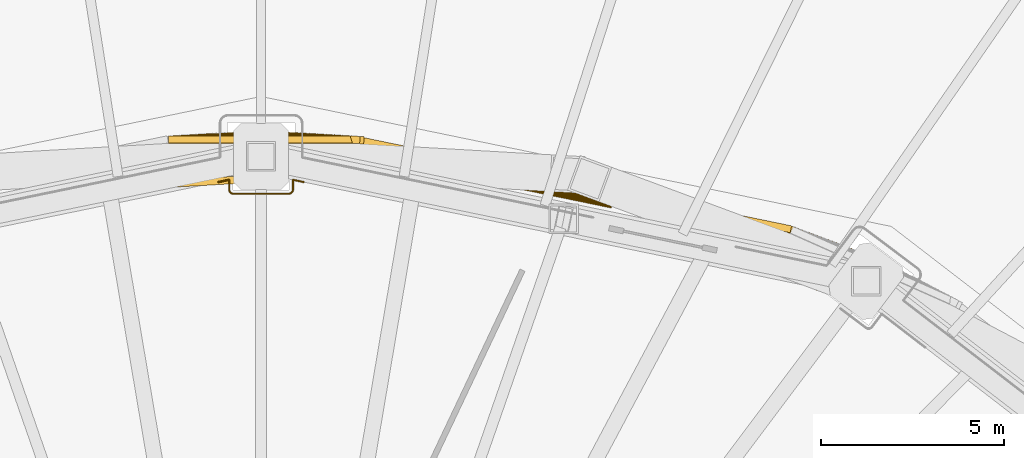
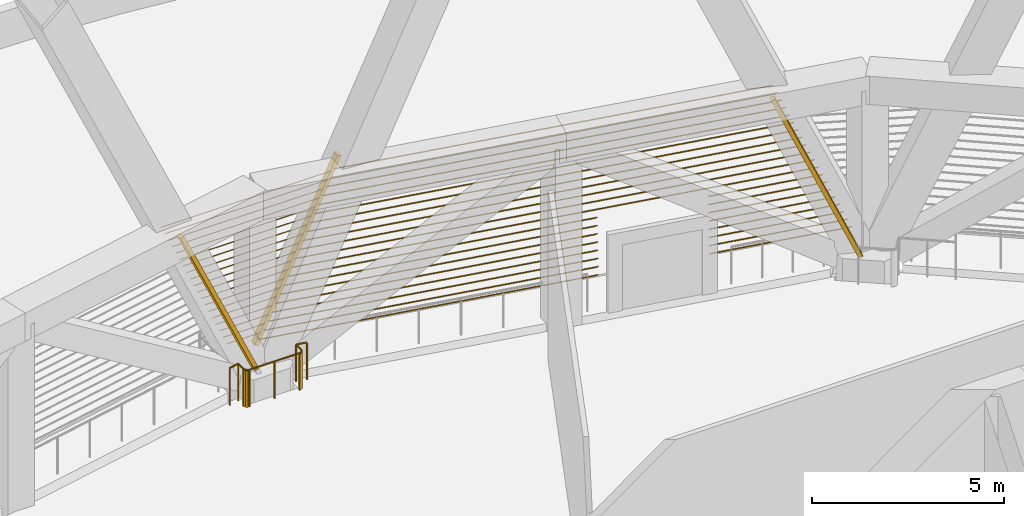
# One storey, part 27 of 27: 2 shading devices, 1 railing.
"""IFC4 building model written with IfcOpenShell, lengths in metres."""

from ifc_helpers import new_model, si_unit, direction, frame, origin, origin_2d, place, context, subcontext, project, spatial, rectangle, circle, extrude, material, type_object, element, save


model = new_model("IFC4")

# Units and contexts
model_context = context("Model", 3, precision=1e-05, world=origin(), true_north=direction((0.0, 1.0)))
body_context = subcontext(model_context, "Body", "Model", "MODEL_VIEW")
ifc_project = project(units=[si_unit("LENGTHUNIT", "METRE"), si_unit("AREAUNIT", "SQUARE_METRE"), si_unit("VOLUMEUNIT", "CUBIC_METRE"), si_unit("PLANEANGLEUNIT", "RADIAN"), si_unit("MASSUNIT", "GRAM", prefix="KILO")], contexts=[model_context])

# Site, building, storey
site_placement = place(None, origin())
site = spatial("IfcSite", under=ifc_project, at=site_placement, CompositionType="ELEMENT")
building_placement = place(site_placement, origin())
building = spatial("IfcBuilding", under=site, at=building_placement, Name="Sahrelin Media Tower", CompositionType="ELEMENT")
storey_placement = place(building_placement, frame((0.0, 0.0, 44.0)))
storey = spatial("IfcBuildingStorey", under=building, at=storey_placement, Name="L06", CompositionType="ELEMENT", Elevation=44.0)

# Railing
ifc_material_1 = material(Name="Stainless steel 316", Category="steel")
railing_type = type_object("IfcRailingType", Name="Maintenance platform guard", PredefinedType="GUARDRAIL", material=ifc_material_1)
railing_placement = place(storey_placement, frame((-1.1640625, 24.700439453125, 0.0)))
element("IfcRailing", 1, at=railing_placement, inside=storey, type_object=railing_type, Name="Plant level edge guard 4", PredefinedType="GUARDRAIL", context=body_context, shape_type="SweptSolid", body=[
    extrude(circle(Radius=0.02392578125, at=origin_2d()), frame((0.0, 0.0, 1.17578125), z_axis=(0.979438136355, 0.201744732405, 0.0), x_axis=(-0.201744732405, 0.979438136355, 0.0)), (0.0, 0.0, 1.0), 0.300048828125),
    extrude(circle(Radius=0.02392578125, at=origin_2d()), frame((0.2939453125, 0.060546875, 1.17578125), z_axis=(0.0, -1.0, 0.0), x_axis=(1.0, 0.0, 0.0)), (0.0, 0.0, 1.0), 0.263427734375),
    extrude(circle(Radius=0.02392578125, at=origin_2d()), frame((0.2939453125, -0.202880859375, 1.17578125), z_axis=(0.074789948242, -0.997199309888, 0.0), x_axis=(0.997199309888, 0.074789948242, 0.0)), (0.0, 0.0, 1.0), 0.009765625),
    extrude(circle(Radius=0.02392578125, at=origin_2d()), frame((0.294677734375, -0.212646484375, 1.17578125), z_axis=(0.138647844534, -0.990341746674, 0.0), x_axis=(0.990341746674, 0.138647844534, 0.0)), (0.0, 0.0, 1.0), 0.01220703125),
    extrude(circle(Radius=0.02392578125, at=origin_2d()), frame((0.29638671875, -0.224853515625, 1.17578125), z_axis=(0.25449329928, -0.967074537263, 0.0), x_axis=(0.967074537263, 0.25449329928, 0.0)), (0.0, 0.0, 1.0), 0.009521484375),
    extrude(circle(Radius=0.02392578125, at=origin_2d()), frame((0.298828125, -0.234130859375, 1.17578125), z_axis=(0.310738856307, -0.950495325176, 0.0), x_axis=(0.950495325176, 0.310738856307, 0.0)), (0.0, 0.0, 1.0), 0.013427734375),
    extrude(circle(Radius=0.02392578125, at=origin_2d()), frame((0.302978515625, -0.246826171875, 1.17578125), z_axis=(0.461934418837, -0.886914084167, 0.0), x_axis=(0.886914084167, 0.461934418837, 0.0)), (0.0, 0.0, 1.0), 0.01318359375),
    extrude(circle(Radius=0.02392578125, at=origin_2d()), frame((0.30908203125, -0.258544921875, 1.17578125), z_axis=(0.509802390302, -0.860291533634, 0.0), x_axis=(0.860291533634, 0.509802390302, 0.0)), (0.0, 0.0, 1.0), 0.007568359375),
    extrude(circle(Radius=0.02392578125, at=origin_2d()), frame((0.31298828125, -0.26513671875, 1.17578125), z_axis=(0.562310021407, -0.82692650207, 0.0), x_axis=(0.82692650207, 0.562310021407, 0.0)), (0.0, 0.0, 1.0), 0.0146484375),
    extrude(circle(Radius=0.02392578125, at=origin_2d()), frame((0.3212890625, -0.27734375, 1.17578125), z_axis=(0.707106781187, -0.707106781187, 0.0), x_axis=(0.707106781187, 0.707106781187, 0.0)), (0.0, 0.0, 1.0), 0.0224609375),
    extrude(circle(Radius=0.02392578125, at=origin_2d()), frame((0.337158203125, -0.293212890625, 1.17578125), z_axis=(0.82692650207, -0.562310021407, 0.0), x_axis=(0.562310021407, 0.82692650207, 0.0)), (0.0, 0.0, 1.0), 0.0146484375),
    extrude(circle(Radius=0.02392578125, at=origin_2d()), frame((0.349365234375, -0.301513671875, 1.17578125), z_axis=(0.860291533634, -0.509802390302, 0.0), x_axis=(0.509802390302, 0.860291533634, 0.0)), (0.0, 0.0, 1.0), 0.007568359375),
    extrude(circle(Radius=0.02392578125, at=origin_2d()), frame((0.35595703125, -0.305419921875, 1.17578125), z_axis=(0.886914084167, -0.461934418837, 0.0), x_axis=(0.461934418837, 0.886914084167, 0.0)), (0.0, 0.0, 1.0), 0.01318359375),
    extrude(circle(Radius=0.02392578125, at=origin_2d()), frame((0.36767578125, -0.3115234375, 1.17578125), z_axis=(0.950495325176, -0.310738856307, 0.0), x_axis=(0.310738856307, 0.950495325176, 0.0)), (0.0, 0.0, 1.0), 0.013427734375),
    extrude(circle(Radius=0.02392578125, at=origin_2d()), frame((0.38037109375, -0.315673828125, 1.17578125), z_axis=(0.967074537263, -0.25449329928, 0.0), x_axis=(0.25449329928, 0.967074537263, 0.0)), (0.0, 0.0, 1.0), 0.009521484375),
    extrude(circle(Radius=0.02392578125, at=origin_2d()), frame((0.3896484375, -0.318115234375, 1.17578125), z_axis=(0.990341746674, -0.138647844534, 0.0), x_axis=(0.138647844534, 0.990341746674, 0.0)), (0.0, 0.0, 1.0), 0.01220703125),
    extrude(circle(Radius=0.02392578125, at=origin_2d()), frame((0.40185546875, -0.31982421875, 1.17578125), z_axis=(0.997199309888, -0.074789948242, 0.0), x_axis=(0.074789948242, 0.997199309888, 0.0)), (0.0, 0.0, 1.0), 0.009765625),
    extrude(circle(Radius=0.02392578125, at=origin_2d()), frame((0.41162109375, -0.320556640625, 1.17578125), z_axis=(1.0, 0.0, 0.0), x_axis=(0.0, 1.0, 0.0)), (0.0, 0.0, 1.0), 1.5048828125),
    extrude(circle(Radius=0.02392578125, at=origin_2d()), frame((1.91650390625, -0.320556640625, 1.17578125), z_axis=(0.997199309888, 0.074789948242, 0.0), x_axis=(-0.074789948242, 0.997199309888, 0.0)), (0.0, 0.0, 1.0), 0.009765625),
    extrude(circle(Radius=0.02392578125, at=origin_2d()), frame((1.92626953125, -0.31982421875, 1.17578125), z_axis=(0.990341746674, 0.138647844534, 0.0), x_axis=(-0.138647844534, 0.990341746674, 0.0)), (0.0, 0.0, 1.0), 0.01220703125),
    extrude(circle(Radius=0.02392578125, at=origin_2d()), frame((1.9384765625, -0.318115234375, 1.17578125), z_axis=(0.967074537263, 0.25449329928, 0.0), x_axis=(-0.25449329928, 0.967074537263, 0.0)), (0.0, 0.0, 1.0), 0.009521484375),
    extrude(circle(Radius=0.02392578125, at=origin_2d()), frame((1.94775390625, -0.315673828125, 1.17578125), z_axis=(0.950495325176, 0.310738856307, 0.0), x_axis=(-0.310738856307, 0.950495325176, 0.0)), (0.0, 0.0, 1.0), 0.013427734375),
    extrude(circle(Radius=0.02392578125, at=origin_2d()), frame((1.96044921875, -0.3115234375, 1.17578125), z_axis=(0.886914084167, 0.461934418837, 0.0), x_axis=(-0.461934418837, 0.886914084167, 0.0)), (0.0, 0.0, 1.0), 0.01318359375),
    extrude(circle(Radius=0.02392578125, at=origin_2d()), frame((1.97216796875, -0.305419921875, 1.17578125), z_axis=(0.860291533634, 0.509802390302, 0.0), x_axis=(-0.509802390302, 0.860291533634, 0.0)), (0.0, 0.0, 1.0), 0.007568359375),
    extrude(circle(Radius=0.02392578125, at=origin_2d()), frame((1.978759765625, -0.301513671875, 1.17578125), z_axis=(0.82692650207, 0.562310021407, 0.0), x_axis=(-0.562310021407, 0.82692650207, 0.0)), (0.0, 0.0, 1.0), 0.0146484375),
    extrude(circle(Radius=0.02392578125, at=origin_2d()), frame((1.990966796875, -0.293212890625, 1.17578125), z_axis=(0.707106781187, 0.707106781187, 0.0), x_axis=(-0.707106781187, 0.707106781187, 0.0)), (0.0, 0.0, 1.0), 0.0224609375),
    extrude(circle(Radius=0.02392578125, at=origin_2d()), frame((2.0068359375, -0.27734375, 1.17578125), z_axis=(0.562310021407, 0.82692650207, 0.0), x_axis=(-0.82692650207, 0.562310021407, 0.0)), (0.0, 0.0, 1.0), 0.0146484375),
    extrude(circle(Radius=0.02392578125, at=origin_2d()), frame((2.01513671875, -0.26513671875, 1.17578125), z_axis=(0.509802390302, 0.860291533634, 0.0), x_axis=(-0.860291533634, 0.509802390302, 0.0)), (0.0, 0.0, 1.0), 0.007568359375),
    extrude(circle(Radius=0.02392578125, at=origin_2d()), frame((2.01904296875, -0.258544921875, 1.17578125), z_axis=(0.461934418837, 0.886914084167, 0.0), x_axis=(-0.886914084167, 0.461934418837, 0.0)), (0.0, 0.0, 1.0), 0.01318359375),
    extrude(circle(Radius=0.02392578125, at=origin_2d()), frame((2.025146484375, -0.246826171875, 1.17578125), z_axis=(0.310738856307, 0.950495325176, 0.0), x_axis=(-0.950495325176, 0.310738856307, 0.0)), (0.0, 0.0, 1.0), 0.013427734375),
    extrude(circle(Radius=0.02392578125, at=origin_2d()), frame((2.029296875, -0.234130859375, 1.17578125), z_axis=(0.25449329928, 0.967074537263, 0.0), x_axis=(-0.967074537263, 0.25449329928, 0.0)), (0.0, 0.0, 1.0), 0.009521484375),
    extrude(circle(Radius=0.02392578125, at=origin_2d()), frame((2.03173828125, -0.224853515625, 1.17578125), z_axis=(0.138647844534, 0.990341746674, 0.0), x_axis=(-0.990341746674, 0.138647844534, 0.0)), (0.0, 0.0, 1.0), 0.01220703125),
    extrude(circle(Radius=0.02392578125, at=origin_2d()), frame((2.033447265625, -0.212646484375, 1.17578125), z_axis=(0.074789948242, 0.997199309888, 0.0), x_axis=(-0.997199309888, 0.074789948242, 0.0)), (0.0, 0.0, 1.0), 0.009765625),
    extrude(circle(Radius=0.02392578125, at=origin_2d()), frame((2.0341796875, -0.202880859375, 1.17578125), z_axis=(0.0, 1.0, 0.0), x_axis=(-1.0, 0.0, 0.0)), (0.0, 0.0, 1.0), 0.263427734375),
    extrude(circle(Radius=0.02392578125, at=origin_2d()), frame((2.0341796875, 0.060546875, 1.17578125), z_axis=(0.979438136355, -0.201744732405, 0.0), x_axis=(0.201744732405, 0.979438136355, 0.0)), (0.0, 0.0, 1.0), 0.300048828125),
    extrude(circle(Radius=0.02099609375, at=origin_2d()), origin(), (0.0, 0.0, 1.0), 1.15185546875),
    extrude(circle(Radius=0.02099609375, at=origin_2d()), frame((0.2939453125, 0.060546875, 0.0)), (0.0, 0.0, 1.0), 1.15185546875),
    extrude(circle(Radius=0.02099609375, at=origin_2d()), frame((0.2939453125, -0.202880859375, 0.0)), (0.0, 0.0, 1.0), 1.15185546875),
    extrude(circle(Radius=0.02099609375, at=origin_2d()), frame((0.294677734375, -0.212646484375, 0.0)), (0.0, 0.0, 1.0), 1.15185546875),
    extrude(circle(Radius=0.02099609375, at=origin_2d()), frame((0.29638671875, -0.224853515625, 0.0)), (0.0, 0.0, 1.0), 1.15185546875),
    extrude(circle(Radius=0.02099609375, at=origin_2d()), frame((0.298828125, -0.234130859375, 0.0)), (0.0, 0.0, 1.0), 1.15185546875),
    extrude(circle(Radius=0.02099609375, at=origin_2d()), frame((0.302978515625, -0.246826171875, 0.0)), (0.0, 0.0, 1.0), 1.15185546875),
    extrude(circle(Radius=0.02099609375, at=origin_2d()), frame((0.30908203125, -0.258544921875, 0.0)), (0.0, 0.0, 1.0), 1.15185546875),
    extrude(circle(Radius=0.02099609375, at=origin_2d()), frame((0.31298828125, -0.26513671875, 0.0)), (0.0, 0.0, 1.0), 1.15185546875),
    extrude(circle(Radius=0.02099609375, at=origin_2d()), frame((0.3212890625, -0.27734375, 0.0)), (0.0, 0.0, 1.0), 1.15185546875),
    extrude(circle(Radius=0.02099609375, at=origin_2d()), frame((0.337158203125, -0.293212890625, 0.0)), (0.0, 0.0, 1.0), 1.15185546875),
    extrude(circle(Radius=0.02099609375, at=origin_2d()), frame((0.349365234375, -0.301513671875, 0.0)), (0.0, 0.0, 1.0), 1.15185546875),
    extrude(circle(Radius=0.02099609375, at=origin_2d()), frame((0.35595703125, -0.305419921875, 0.0)), (0.0, 0.0, 1.0), 1.15185546875),
    extrude(circle(Radius=0.02099609375, at=origin_2d()), frame((0.36767578125, -0.3115234375, 0.0)), (0.0, 0.0, 1.0), 1.15185546875),
    extrude(circle(Radius=0.02099609375, at=origin_2d()), frame((0.38037109375, -0.315673828125, 0.0)), (0.0, 0.0, 1.0), 1.15185546875),
    extrude(circle(Radius=0.02099609375, at=origin_2d()), frame((0.3896484375, -0.318115234375, 0.0)), (0.0, 0.0, 1.0), 1.15185546875),
    extrude(circle(Radius=0.02099609375, at=origin_2d()), frame((0.40185546875, -0.31982421875, 0.0)), (0.0, 0.0, 1.0), 1.15185546875),
    extrude(circle(Radius=0.02099609375, at=origin_2d()), frame((0.41162109375, -0.320556640625, 0.0)), (0.0, 0.0, 1.0), 1.15185546875),
    extrude(circle(Radius=0.02099609375, at=origin_2d()), frame((1.1640625, -0.320556640625, 0.0)), (0.0, 0.0, 1.0), 1.15185546875),
    extrude(circle(Radius=0.02099609375, at=origin_2d()), frame((1.91650390625, -0.320556640625, 0.0)), (0.0, 0.0, 1.0), 1.15185546875),
    extrude(circle(Radius=0.02099609375, at=origin_2d()), frame((1.92626953125, -0.31982421875, 0.0)), (0.0, 0.0, 1.0), 1.15185546875),
    extrude(circle(Radius=0.02099609375, at=origin_2d()), frame((1.9384765625, -0.318115234375, 0.0)), (0.0, 0.0, 1.0), 1.15185546875),
    extrude(circle(Radius=0.02099609375, at=origin_2d()), frame((1.94775390625, -0.315673828125, 0.0)), (0.0, 0.0, 1.0), 1.15185546875),
    extrude(circle(Radius=0.02099609375, at=origin_2d()), frame((1.96044921875, -0.3115234375, 0.0)), (0.0, 0.0, 1.0), 1.15185546875),
    extrude(circle(Radius=0.02099609375, at=origin_2d()), frame((1.97216796875, -0.305419921875, 0.0)), (0.0, 0.0, 1.0), 1.15185546875),
    extrude(circle(Radius=0.02099609375, at=origin_2d()), frame((1.978759765625, -0.301513671875, 0.0)), (0.0, 0.0, 1.0), 1.15185546875),
    extrude(circle(Radius=0.02099609375, at=origin_2d()), frame((1.990966796875, -0.293212890625, 0.0)), (0.0, 0.0, 1.0), 1.15185546875),
    extrude(circle(Radius=0.02099609375, at=origin_2d()), frame((2.0068359375, -0.27734375, 0.0)), (0.0, 0.0, 1.0), 1.15185546875),
    extrude(circle(Radius=0.02099609375, at=origin_2d()), frame((2.01513671875, -0.26513671875, 0.0)), (0.0, 0.0, 1.0), 1.15185546875),
    extrude(circle(Radius=0.02099609375, at=origin_2d()), frame((2.01904296875, -0.258544921875, 0.0)), (0.0, 0.0, 1.0), 1.15185546875),
    extrude(circle(Radius=0.02099609375, at=origin_2d()), frame((2.025146484375, -0.246826171875, 0.0)), (0.0, 0.0, 1.0), 1.15185546875),
    extrude(circle(Radius=0.02099609375, at=origin_2d()), frame((2.029296875, -0.234130859375, 0.0)), (0.0, 0.0, 1.0), 1.15185546875),
    extrude(circle(Radius=0.02099609375, at=origin_2d()), frame((2.03173828125, -0.224853515625, 0.0)), (0.0, 0.0, 1.0), 1.15185546875),
    extrude(circle(Radius=0.02099609375, at=origin_2d()), frame((2.033447265625, -0.212646484375, 0.0)), (0.0, 0.0, 1.0), 1.15185546875),
    extrude(circle(Radius=0.02099609375, at=origin_2d()), frame((2.0341796875, -0.202880859375, 0.0)), (0.0, 0.0, 1.0), 1.15185546875),
    extrude(circle(Radius=0.02099609375, at=origin_2d()), frame((2.0341796875, 0.060546875, 0.0)), (0.0, 0.0, 1.0), 1.15185546875),
    extrude(circle(Radius=0.02099609375, at=origin_2d()), frame((2.328125, 0.0, 0.0)), (0.0, 0.0, 1.0), 1.15185546875),
])

# Shading devices
ifc_material_2 = material(Name="Champagne anodised aluminium 6063-T6", Category="aluminium")
shading_device_type = type_object("IfcShadingDeviceType", Name="Sand-rejection louvre band", PredefinedType="USERDEFINED", material=ifc_material_2)
shading_device_1_placement = place(storey_placement, frame((8.280029296875, 23.6923828125, 0.0), z_axis=(0.0, 0.0, 1.0), x_axis=(0.979386112403, -0.201997135701, 0.0)))
element("IfcShadingDevice", 2, at=shading_device_1_placement, inside=storey, type_object=shading_device_type, Name="L06:LOUVRE:L06-05", ObjectType="LOUVRE", PredefinedType="USERDEFINED", context=body_context, shape_type="SweptSolid", body=[
    extrude(rectangle(XDim=0.199951171875, YDim=0.1201171875, at=origin_2d()), frame((8.02001953125, -0.550048828125, 0.64990234375), z_axis=(-0.397844932486, 0.060739684349, 0.91543983988), x_axis=(-0.150922980828, -0.988545524424, 0.0)), (0.0, 0.0, 1.0), 5.7880859375),
    extrude(rectangle(XDim=0.199951171875, YDim=0.1201171875, at=origin_2d()), frame((-8.24755859375, 0.63671875, 0.64990234375), z_axis=(0.411241890655, 0.060347327274, 0.909526419331), x_axis=(-0.145189201011, 0.989403909387, 0.0)), (0.0, 0.0, 1.0), 5.82568359375),
    extrude(rectangle(XDim=0.25, YDim=0.02001953125, at=origin_2d()), frame((8.158447265625, 0.64990234375, 0.75), z_axis=(-1.0, 0.0, 0.0), x_axis=(0.0, -0.766044443119, 0.642787609687)), (0.0, 0.0, 1.0), 3.875244140625),
    extrude(rectangle(XDim=0.25, YDim=0.02001953125, at=origin_2d()), frame((1.18310546875, 0.64990234375, 0.75), z_axis=(-1.0, 0.0, 0.0), x_axis=(0.0, -0.766044443119, 0.642787609687)), (0.0, 0.0, 1.0), 9.386474609375),
    extrude(rectangle(XDim=0.25, YDim=0.02001953125, at=origin_2d()), frame((8.0498046875, 0.666259765625, 1.0), z_axis=(-1.0, 0.0, 0.0), x_axis=(0.0, -0.766044443119, 0.642787609687)), (0.0, 0.0, 1.0), 3.7666015625),
    extrude(rectangle(XDim=0.25, YDim=0.02001953125, at=origin_2d()), frame((1.18310546875, 0.666259765625, 1.0), z_axis=(-1.0, 0.0, 0.0), x_axis=(0.0, -0.766044443119, 0.642787609687)), (0.0, 0.0, 1.0), 9.2734375),
    extrude(rectangle(XDim=0.25, YDim=0.02001953125, at=origin_2d()), frame((7.94140625, 0.682861328125, 1.25), z_axis=(-1.0, 0.0, 0.0), x_axis=(0.0, -0.766044443119, 0.642787609687)), (0.0, 0.0, 1.0), 3.658203125),
    extrude(rectangle(XDim=0.25, YDim=0.02001953125, at=origin_2d()), frame((1.18310546875, 0.682861328125, 1.25), z_axis=(-1.0, 0.0, 0.0), x_axis=(0.0, -0.766044443119, 0.642787609687)), (0.0, 0.0, 1.0), 9.160400390625),
    extrude(rectangle(XDim=0.25, YDim=0.02001953125, at=origin_2d()), frame((7.83251953125, 0.699462890625, 1.5), z_axis=(-1.0, 0.0, 0.0), x_axis=(0.0, -0.766044443119, 0.642787609687)), (0.0, 0.0, 1.0), 3.54931640625),
    extrude(rectangle(XDim=0.25, YDim=0.02001953125, at=origin_2d()), frame((1.18310546875, 0.699462890625, 1.5), z_axis=(-1.0, 0.0, 0.0), x_axis=(0.0, -0.766044443119, 0.642787609687)), (0.0, 0.0, 1.0), 9.04736328125),
    extrude(rectangle(XDim=0.25, YDim=0.02001953125, at=origin_2d()), frame((7.72412109375, 0.716064453125, 1.75), z_axis=(-1.0, 0.0, 0.0), x_axis=(0.0, -0.766044443119, 0.642787609687)), (0.0, 0.0, 1.0), 3.44091796875),
    extrude(rectangle(XDim=0.25, YDim=0.02001953125, at=origin_2d()), frame((1.18310546875, 0.716064453125, 1.75), z_axis=(-1.0, 0.0, 0.0), x_axis=(0.0, -0.766044443119, 0.642787609687)), (0.0, 0.0, 1.0), 8.934326171875),
    extrude(rectangle(XDim=0.25, YDim=0.02001953125, at=origin_2d()), frame((7.615234375, 0.732666015625, 2.0), z_axis=(-1.0, 0.0, 0.0), x_axis=(0.0, -0.766044443119, 0.642787609687)), (0.0, 0.0, 1.0), 3.33203125),
    extrude(rectangle(XDim=0.25, YDim=0.02001953125, at=origin_2d()), frame((1.18310546875, 0.732666015625, 2.0), z_axis=(-1.0, 0.0, 0.0), x_axis=(0.0, -0.766044443119, 0.642787609687)), (0.0, 0.0, 1.0), 8.8212890625),
    extrude(rectangle(XDim=0.25, YDim=0.02001953125, at=origin_2d()), frame((7.506591796875, 0.749267578125, 2.25), z_axis=(-1.0, 0.0, 0.0), x_axis=(0.0, -0.766044443119, 0.642787609687)), (0.0, 0.0, 1.0), 3.223388671875),
    extrude(rectangle(XDim=0.25, YDim=0.02001953125, at=origin_2d()), frame((1.18310546875, 0.749267578125, 2.25), z_axis=(-1.0, 0.0, 0.0), x_axis=(0.0, -0.766044443119, 0.642787609687)), (0.0, 0.0, 1.0), 8.708251953125),
    extrude(rectangle(XDim=0.25, YDim=0.02001953125, at=origin_2d()), frame((7.39794921875, 0.765869140625, 2.5), z_axis=(-1.0, 0.0, 0.0), x_axis=(0.0, -0.766044443119, 0.642787609687)), (0.0, 0.0, 1.0), 3.11474609375),
    extrude(rectangle(XDim=0.25, YDim=0.02001953125, at=origin_2d()), frame((1.18310546875, 0.765869140625, 2.5), z_axis=(-1.0, 0.0, 0.0), x_axis=(0.0, -0.766044443119, 0.642787609687)), (0.0, 0.0, 1.0), 8.59521484375),
    extrude(rectangle(XDim=0.25, YDim=0.02001953125, at=origin_2d()), frame((7.289306640625, 0.782470703125, 2.75), z_axis=(-1.0, 0.0, 0.0), x_axis=(0.0, -0.766044443119, 0.642787609687)), (0.0, 0.0, 1.0), 14.58837890625),
    extrude(rectangle(XDim=0.25, YDim=0.02001953125, at=origin_2d()), frame((7.180908203125, 0.799072265625, 3.0), z_axis=(-1.0, 0.0, 0.0), x_axis=(0.0, -0.766044443119, 0.642787609687)), (0.0, 0.0, 1.0), 14.366943359375),
    extrude(rectangle(XDim=0.25, YDim=0.02001953125, at=origin_2d()), frame((7.072021484375, 0.815673828125, 3.25), z_axis=(-1.0, 0.0, 0.0), x_axis=(0.0, -0.766044443119, 0.642787609687)), (0.0, 0.0, 1.0), 14.14501953125),
    extrude(rectangle(XDim=0.25, YDim=0.02001953125, at=origin_2d()), frame((6.96337890625, 0.832275390625, 3.5), z_axis=(-1.0, 0.0, 0.0), x_axis=(0.0, -0.766044443119, 0.642787609687)), (0.0, 0.0, 1.0), 13.92333984375),
    extrude(rectangle(XDim=0.25, YDim=0.02001953125, at=origin_2d()), frame((6.854736328125, 0.848876953125, 3.75), z_axis=(-1.0, 0.0, 0.0), x_axis=(0.0, -0.766044443119, 0.642787609687)), (0.0, 0.0, 1.0), 13.70166015625),
    extrude(rectangle(XDim=0.25, YDim=0.02001953125, at=origin_2d()), frame((6.74609375, 0.865234375, 4.0), z_axis=(-1.0, 0.0, 0.0), x_axis=(0.0, -0.766044443119, 0.642787609687)), (0.0, 0.0, 1.0), 13.47998046875),
    extrude(rectangle(XDim=0.25, YDim=0.02001953125, at=origin_2d()), frame((6.637451171875, 0.8818359375, 4.25), z_axis=(-1.0, 0.0, 0.0), x_axis=(0.0, -0.766044443119, 0.642787609687)), (0.0, 0.0, 1.0), 13.25830078125),
    extrude(rectangle(XDim=0.25, YDim=0.02001953125, at=origin_2d()), frame((6.52880859375, 0.8984375, 4.5), z_axis=(-1.0, 0.0, 0.0), x_axis=(0.0, -0.766044443119, 0.642787609687)), (0.0, 0.0, 1.0), 13.03662109375),
    extrude(rectangle(XDim=0.25, YDim=0.02001953125, at=origin_2d()), frame((6.42041015625, 0.9150390625, 4.75), z_axis=(-1.0, 0.0, 0.0), x_axis=(0.0, -0.766044443119, 0.642787609687)), (0.0, 0.0, 1.0), 12.815185546875),
    extrude(rectangle(XDim=0.25, YDim=0.02001953125, at=origin_2d()), frame((6.3115234375, 0.931640625, 5.0), z_axis=(-1.0, 0.0, 0.0), x_axis=(0.0, -0.766044443119, 0.642787609687)), (0.0, 0.0, 1.0), 12.59326171875),
    extrude(rectangle(XDim=0.25, YDim=0.02001953125, at=origin_2d()), frame((6.202880859375, 0.9482421875, 5.25), z_axis=(-1.0, 0.0, 0.0), x_axis=(0.0, -0.766044443119, 0.642787609687)), (0.0, 0.0, 1.0), 12.37158203125),
    extrude(rectangle(XDim=0.25, YDim=0.02001953125, at=origin_2d()), frame((6.09423828125, 0.96484375, 5.5), z_axis=(-1.0, 0.0, 0.0), x_axis=(0.0, -0.766044443119, 0.642787609687)), (0.0, 0.0, 1.0), 12.14990234375),
])
shading_device_2_placement = place(storey_placement, frame((0.0, 25.39990234375, 0.0), z_axis=(0.0, 0.0, 1.0), x_axis=(1.0, 0.0, 0.0)))
element("IfcShadingDevice", 3, at=shading_device_2_placement, inside=storey, type_object=shading_device_type, Name="L06:LOUVRE:L06-06", ObjectType="LOUVRE", PredefinedType="USERDEFINED", context=body_context, shape_type="SweptSolid", body=[
    extrude(rectangle(XDim=0.199951171875, YDim=0.1201171875, at=origin_2d()), frame((0.42236328125, 0.57666015625, 0.85009765625), z_axis=(0.414936891707, -0.023998134495, 0.909533652726), x_axis=(0.057739138144, 0.998331704358, 0.0)), (0.0, 0.0, 1.0), 5.60546875),
    extrude(rectangle(XDim=0.199951171875, YDim=0.1201171875, at=origin_2d()), frame((-0.353271484375, -0.621337890625, 0.85009765625), z_axis=(-0.414936891707, -0.023998134495, 0.909533652726), x_axis=(0.057739138144, -0.998331704358, 0.0)), (0.0, 0.0, 1.0), 5.60546875),
    extrude(rectangle(XDim=0.25, YDim=0.02001953125, at=origin_2d()), frame((0.468017578125, 0.574951171875, 0.949951171875), z_axis=(-1.0, 0.0, 0.0), x_axis=(0.0, -0.766044443119, 0.642787609687)), (0.0, 0.0, 1.0), 0.93603515625),
    extrude(rectangle(XDim=0.25, YDim=0.02001953125, at=origin_2d()), frame((0.58203125, 0.568359375, 1.199951171875), z_axis=(-1.0, 0.0, 0.0), x_axis=(0.0, -0.766044443119, 0.642787609687)), (0.0, 0.0, 1.0), 1.1640625),
    extrude(rectangle(XDim=0.25, YDim=0.02001953125, at=origin_2d()), frame((0.6962890625, 0.561767578125, 1.449951171875), z_axis=(-1.0, 0.0, 0.0), x_axis=(0.0, -0.766044443119, 0.642787609687)), (0.0, 0.0, 1.0), 1.392578125),
    extrude(rectangle(XDim=0.25, YDim=0.02001953125, at=origin_2d()), frame((0.810302734375, 0.55517578125, 1.699951171875), z_axis=(-1.0, 0.0, 0.0), x_axis=(0.0, -0.766044443119, 0.642787609687)), (0.0, 0.0, 1.0), 1.62060546875),
    extrude(rectangle(XDim=0.25, YDim=0.02001953125, at=origin_2d()), frame((0.92431640625, 0.548583984375, 1.949951171875), z_axis=(-1.0, 0.0, 0.0), x_axis=(0.0, -0.766044443119, 0.642787609687)), (0.0, 0.0, 1.0), 1.8486328125),
    extrude(rectangle(XDim=0.25, YDim=0.02001953125, at=origin_2d()), frame((1.038330078125, 0.5419921875, 2.199951171875), z_axis=(-1.0, 0.0, 0.0), x_axis=(0.0, -0.766044443119, 0.642787609687)), (0.0, 0.0, 1.0), 2.07666015625),
    extrude(rectangle(XDim=0.25, YDim=0.02001953125, at=origin_2d()), frame((1.15234375, 0.535400390625, 2.449951171875), z_axis=(-1.0, 0.0, 0.0), x_axis=(0.0, -0.766044443119, 0.642787609687)), (0.0, 0.0, 1.0), 2.3046875),
    extrude(rectangle(XDim=0.25, YDim=0.02001953125, at=origin_2d()), frame((1.266357421875, 0.52880859375, 2.699951171875), z_axis=(-1.0, 0.0, 0.0), x_axis=(0.0, -0.766044443119, 0.642787609687)), (0.0, 0.0, 1.0), 2.53271484375),
    extrude(rectangle(XDim=0.25, YDim=0.02001953125, at=origin_2d()), frame((1.380615234375, 0.522216796875, 2.949951171875), z_axis=(-1.0, 0.0, 0.0), x_axis=(0.0, -0.766044443119, 0.642787609687)), (0.0, 0.0, 1.0), 2.76123046875),
    extrude(rectangle(XDim=0.25, YDim=0.02001953125, at=origin_2d()), frame((1.494384765625, 0.515625, 3.199951171875), z_axis=(-1.0, 0.0, 0.0), x_axis=(0.0, -0.766044443119, 0.642787609687)), (0.0, 0.0, 1.0), 2.98876953125),
    extrude(rectangle(XDim=0.25, YDim=0.02001953125, at=origin_2d()), frame((1.608642578125, 0.509033203125, 3.449951171875), z_axis=(-1.0, 0.0, 0.0), x_axis=(0.0, -0.766044443119, 0.642787609687)), (0.0, 0.0, 1.0), 3.21728515625),
    extrude(rectangle(XDim=0.25, YDim=0.02001953125, at=origin_2d()), frame((1.72265625, 0.50244140625, 3.699951171875), z_axis=(-1.0, 0.0, 0.0), x_axis=(0.0, -0.766044443119, 0.642787609687)), (0.0, 0.0, 1.0), 3.4453125),
    extrude(rectangle(XDim=0.25, YDim=0.02001953125, at=origin_2d()), frame((1.836669921875, 0.495849609375, 3.949951171875), z_axis=(-1.0, 0.0, 0.0), x_axis=(0.0, -0.766044443119, 0.642787609687)), (0.0, 0.0, 1.0), 3.67333984375),
    extrude(rectangle(XDim=0.25, YDim=0.02001953125, at=origin_2d()), frame((1.95068359375, 0.4892578125, 4.199951171875), z_axis=(-1.0, 0.0, 0.0), x_axis=(0.0, -0.766044443119, 0.642787609687)), (0.0, 0.0, 1.0), 3.9013671875),
    extrude(rectangle(XDim=0.25, YDim=0.02001953125, at=origin_2d()), frame((2.064697265625, 0.482666015625, 4.449951171875), z_axis=(-1.0, 0.0, 0.0), x_axis=(0.0, -0.766044443119, 0.642787609687)), (0.0, 0.0, 1.0), 4.12939453125),
    extrude(rectangle(XDim=0.25, YDim=0.02001953125, at=origin_2d()), frame((2.1787109375, 0.47607421875, 4.699951171875), z_axis=(-1.0, 0.0, 0.0), x_axis=(0.0, -0.766044443119, 0.642787609687)), (0.0, 0.0, 1.0), 4.357421875),
    extrude(rectangle(XDim=0.25, YDim=0.02001953125, at=origin_2d()), frame((2.29296875, 0.469482421875, 4.949951171875), z_axis=(-1.0, 0.0, 0.0), x_axis=(0.0, -0.766044443119, 0.642787609687)), (0.0, 0.0, 1.0), 4.5859375),
    extrude(rectangle(XDim=0.25, YDim=0.02001953125, at=origin_2d()), frame((2.406982421875, 0.462890625, 5.199951171875), z_axis=(-1.0, 0.0, 0.0), x_axis=(0.0, -0.766044443119, 0.642787609687)), (0.0, 0.0, 1.0), 4.81396484375),
    extrude(rectangle(XDim=0.25, YDim=0.02001953125, at=origin_2d()), frame((2.52099609375, 0.456298828125, 5.449951171875), z_axis=(-1.0, 0.0, 0.0), x_axis=(0.0, -0.766044443119, 0.642787609687)), (0.0, 0.0, 1.0), 5.0419921875),
])

save(model, "model.ifc")
